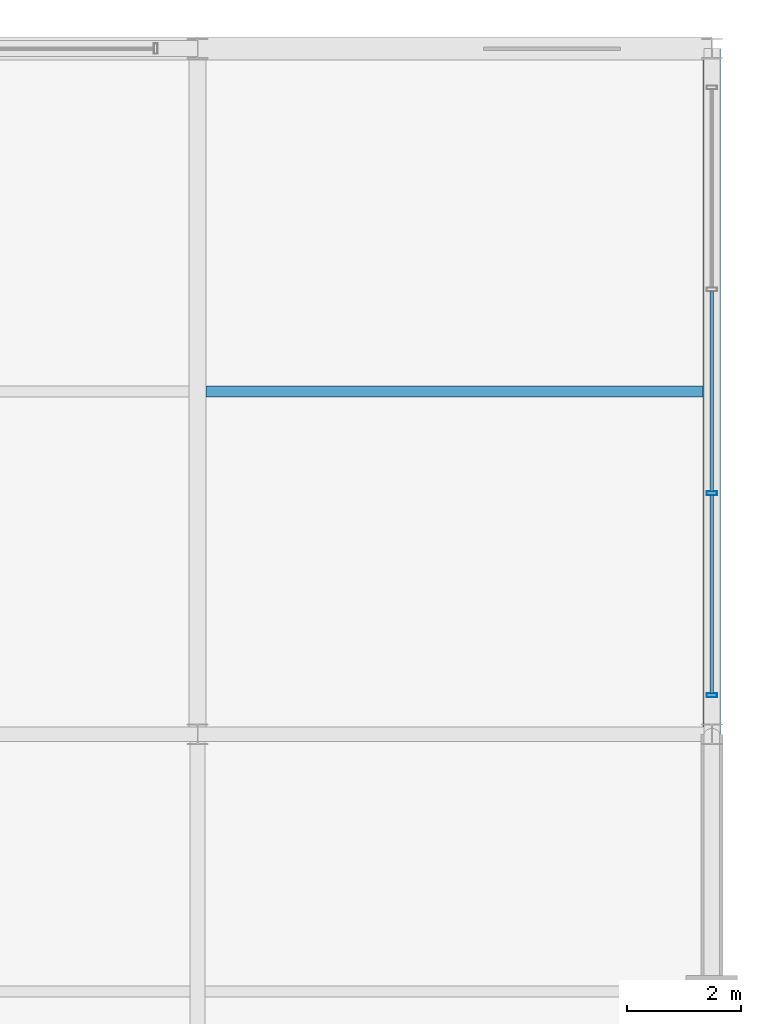
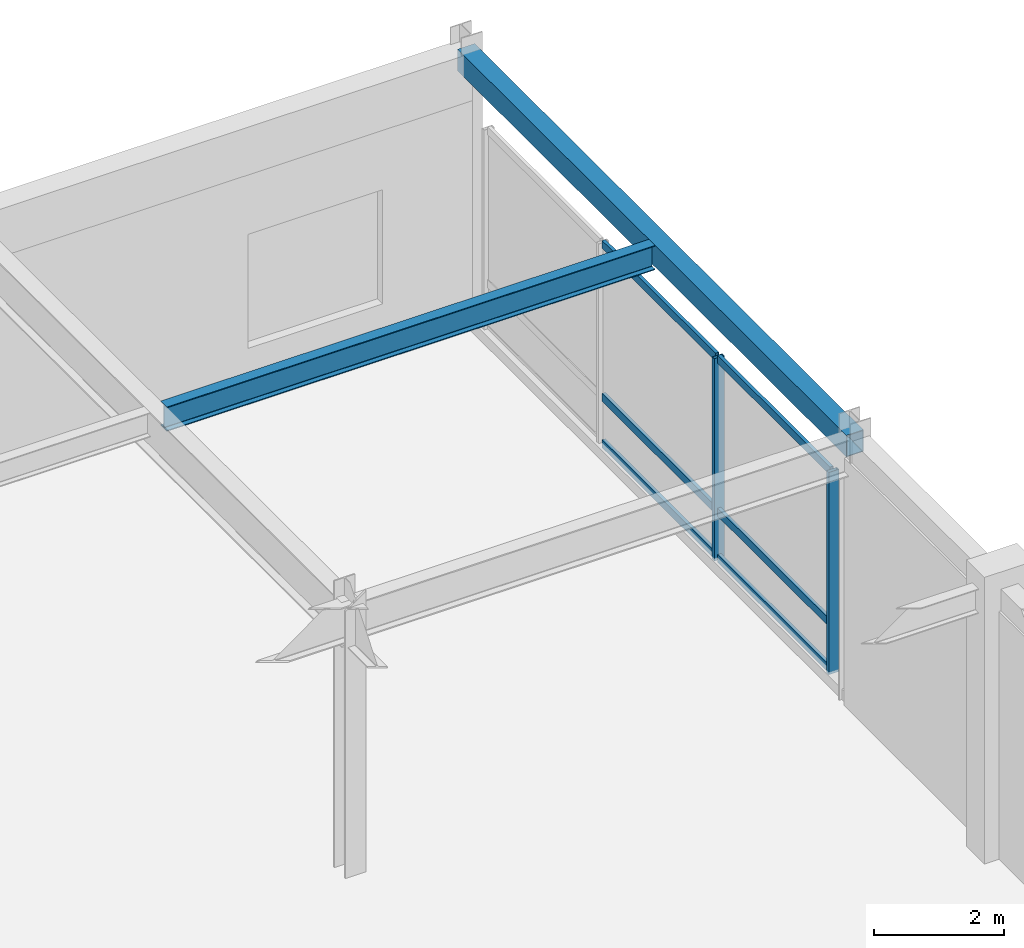
# One storey, part 72 of 100: 8 members, 2 beams, 1 element without a shape of its own.
"""IFC4 building model written with IfcOpenShell, lengths in metres."""

from ifc_helpers import new_model, si_unit, direction, frame, origin, origin_2d, place, context, subcontext, project, spatial, hollow_rectangle, i_section, extrude, material, material_profile, profile_set, type_object, element, aggregate, save


model = new_model("IFC4")

# Units and contexts
model_context = context("Model", 3, precision=1e-05, world=origin(), true_north=direction((0.0, 1.0)))
body_context = subcontext(model_context, "Body", "Model", "MODEL_VIEW")
ifc_project = project(units=[si_unit("LENGTHUNIT", "METRE"), si_unit("AREAUNIT", "SQUARE_METRE"), si_unit("VOLUMEUNIT", "CUBIC_METRE"), si_unit("PLANEANGLEUNIT", "RADIAN"), si_unit("MASSUNIT", "GRAM", prefix="KILO")], contexts=[model_context])

# Site, building, storey
site_placement = place(None, origin())
site = spatial("IfcSite", under=ifc_project, at=site_placement, CompositionType="ELEMENT")
building_placement = place(site_placement, origin())
building = spatial("IfcBuilding", under=site, at=building_placement, Name="Kaldorvane Square Convention Centre", CompositionType="ELEMENT")
storey_placement = place(building_placement, frame((0.0, 0.0, 18.0)))
storey = spatial("IfcBuildingStorey", under=building, at=storey_placement, Name="L03", CompositionType="ELEMENT", Elevation=18.0)

# Beams
ifc_material_1 = material(Name="Steel ASTM A992 Gr. 50", Category="steel")
ifc_material_profile_1 = material_profile(ifc_material_1, i_section(OverallWidth=0.1912994384765625, OverallDepth=0.4600067138671875, WebThickness=0.0099029541015625, FlangeThickness=0.0160064697265625, FilletRadius=0.01019287109375, at=origin_2d()), Name="W18X55")
ifc_profile_set_1 = profile_set([ifc_material_profile_1], Name="Steel ASTM A992 Gr. 50")
beam_type_1 = type_object("IfcBeamType", Name="BM-JS-W18X55", PredefinedType="JOIST", material=ifc_profile_set_1)
beam_1_placement = place(storey_placement, frame((165.14649963378906, 111.0, 4.8459930419921875), z_axis=(1.0, 0.0, 0.0), x_axis=(0.0, 1.0, 0.0)))
element("IfcBeam", 1, at=beam_1_placement, inside=storey, type_object=beam_type_1, Name="Secondary Floor Joist (L03)", PredefinedType="JOIST", context=body_context, shape_type="SweptSolid", body=[
    extrude(i_section(OverallWidth=0.1912994384765625, OverallDepth=0.4600067138671875, WebThickness=0.0099029541015625, FlangeThickness=0.0160064697265625, FilletRadius=0.01019287109375, at=origin_2d()), origin(), (0.0, 0.0, 1.0), 8.701095581054688),
])
ifc_material_2 = material(Name="Steel ASTM A500 Gr. C", Category="steel")
ifc_material_profile_2 = material_profile(ifc_material_2, hollow_rectangle(XDim=0.3047943115234375, YDim=0.406402587890625, WallThickness=0.0117950439453125, at=origin_2d()), Name="HSS16X12X1/2")
ifc_profile_set_2 = profile_set([ifc_material_profile_2], Name="Steel ASTM A500 Gr. C")
beam_type_2 = type_object("IfcBeamType", Name="BM-SP-HSS16", PredefinedType="SPANDREL", material=ifc_profile_set_2)
beam_2_placement = place(storey_placement, frame((174.0, 105.0, 4.872802734375), z_axis=(0.0, 1.0, 0.0), x_axis=(-1.0, 0.0, 0.0)))
element("IfcBeam", 2, at=beam_2_placement, inside=storey, type_object=beam_type_2, Name="End Spandrel (L03)", PredefinedType="SPANDREL", context=body_context, shape_type="SweptSolid", body=[
    extrude(hollow_rectangle(XDim=0.3047943115234375, YDim=0.406402587890625, WallThickness=0.0117950439453125, at=origin_2d()), origin(), (0.0, 0.0, 1.0), 12.0),
])

# Curtain wall, members
ifc_material_3 = material(Name="Anodized Aluminum and Low-E Insulated Glazing", Category="aluminium")
curtain_wall_type = type_object("IfcCurtainWallType", Name="CW-UNI-P54-09", PredefinedType="USERDEFINED", material=ifc_material_3)
curtain_wall_placement = place(storey_placement, origin())
curtain_wall = element("IfcCurtainWall", 3, at=curtain_wall_placement, inside=storey, type_object=curtain_wall_type, Name="Curtain Wall CW-04 (L03)", ObjectType="UNITISED GLAZING", PredefinedType="USERDEFINED")
ifc_material_profile_3 = material_profile(ifc_material_3, hollow_rectangle(XDim=0.06500244140625, YDim=0.17999267578125, WallThickness=0.0034942626953125, at=origin_2d()), Name="CWM-180X65")
ifc_profile_set_3 = profile_set([ifc_material_profile_3], Name="Anodized Aluminum and Low-E Insulated Glazing")
member_type_1 = type_object("IfcMemberType", Name="CW-MUL-180", PredefinedType="MULLION", material=ifc_profile_set_3)
member_1_placement = place(storey_placement, frame((174.0, 105.6824951171875, 0.149993896484375), z_axis=(0.0, 0.0, 1.0), x_axis=(0.0, 1.0, 0.0)))
member_1 = element("IfcMember", 4, at=member_1_placement, type_object=member_type_1, Name="CW-04 mullion 1", PredefinedType="MULLION", context=body_context, shape_type="SweptSolid", body=[
    extrude(hollow_rectangle(XDim=0.06500244140625, YDim=0.17999267578125, WallThickness=0.0034942626953125, at=origin_2d()), origin(), (0.0, 0.0, 1.0), 3.8100128173828125),
])
member_2_placement = place(storey_placement, frame((174.0, 109.21665954589844, 0.149993896484375), z_axis=(0.0, 0.0, 1.0), x_axis=(0.0, 1.0, 0.0)))
member_2 = element("IfcMember", 5, at=member_2_placement, type_object=member_type_1, Name="CW-04 mullion 2", PredefinedType="MULLION", context=body_context, shape_type="SweptSolid", body=[
    extrude(hollow_rectangle(XDim=0.06500244140625, YDim=0.17999267578125, WallThickness=0.0034942626953125, at=origin_2d()), origin(), (0.0, 0.0, 1.0), 3.8100128173828125),
])
ifc_material_profile_4 = material_profile(ifc_material_3, hollow_rectangle(XDim=0.05999755859375, YDim=0.149993896484375, WallThickness=0.003204345703125, at=origin_2d()), Name="CWT-150X60")
ifc_profile_set_4 = profile_set([ifc_material_profile_4], Name="Anodized Aluminum and Low-E Insulated Glazing")
member_type_2 = type_object("IfcMemberType", Name="CW-TRN-150", PredefinedType="USERDEFINED", material=ifc_profile_set_4)
member_3_placement = place(storey_placement, frame((174.0, 105.71499633789062, 0.17999267578125), z_axis=(0.0, 1.0, 0.0), x_axis=(-1.0, 0.0, 0.0)))
member_3 = element("IfcMember", 6, at=member_3_placement, type_object=member_type_2, Name="CW-04 transom 1.1", ObjectType="TRANSOM", PredefinedType="USERDEFINED", context=body_context, shape_type="SweptSolid", body=[
    extrude(hollow_rectangle(XDim=0.05999755859375, YDim=0.149993896484375, WallThickness=0.003204345703125, at=origin_2d()), origin(), (0.0, 0.0, 1.0), 3.46917724609375),
])
member_4_placement = place(storey_placement, frame((174.0, 105.71499633789062, 1.0500030517578125), z_axis=(0.0, 1.0, 0.0), x_axis=(-1.0, 0.0, 0.0)))
member_4 = element("IfcMember", 7, at=member_4_placement, type_object=member_type_2, Name="CW-04 transom 1.2", ObjectType="TRANSOM", PredefinedType="USERDEFINED", context=body_context, shape_type="SweptSolid", body=[
    extrude(hollow_rectangle(XDim=0.05999755859375, YDim=0.149993896484375, WallThickness=0.003204345703125, at=origin_2d()), origin(), (0.0, 0.0, 1.0), 3.46917724609375),
])
member_5_placement = place(storey_placement, frame((174.0, 105.71499633789062, 3.92999267578125), z_axis=(0.0, 1.0, 0.0), x_axis=(-1.0, 0.0, 0.0)))
member_5 = element("IfcMember", 8, at=member_5_placement, type_object=member_type_2, Name="CW-04 transom 1.3", ObjectType="TRANSOM", PredefinedType="USERDEFINED", context=body_context, shape_type="SweptSolid", body=[
    extrude(hollow_rectangle(XDim=0.05999755859375, YDim=0.149993896484375, WallThickness=0.003204345703125, at=origin_2d()), origin(), (0.0, 0.0, 1.0), 3.46917724609375),
])
member_6_placement = place(storey_placement, frame((174.0, 109.24916076660156, 0.17999267578125), z_axis=(0.0, 1.0, 0.0), x_axis=(-1.0, 0.0, 0.0)))
member_6 = element("IfcMember", 9, at=member_6_placement, type_object=member_type_2, Name="CW-04 transom 2.1", ObjectType="TRANSOM", PredefinedType="USERDEFINED", context=body_context, shape_type="SweptSolid", body=[
    extrude(hollow_rectangle(XDim=0.05999755859375, YDim=0.149993896484375, WallThickness=0.003204345703125, at=origin_2d()), origin(), (0.0, 0.0, 1.0), 3.501678466796875),
])
member_7_placement = place(storey_placement, frame((174.0, 109.24916076660156, 1.0500030517578125), z_axis=(0.0, 1.0, 0.0), x_axis=(-1.0, 0.0, 0.0)))
member_7 = element("IfcMember", 10, at=member_7_placement, type_object=member_type_2, Name="CW-04 transom 2.2", ObjectType="TRANSOM", PredefinedType="USERDEFINED", context=body_context, shape_type="SweptSolid", body=[
    extrude(hollow_rectangle(XDim=0.05999755859375, YDim=0.149993896484375, WallThickness=0.003204345703125, at=origin_2d()), origin(), (0.0, 0.0, 1.0), 3.501678466796875),
])
member_8_placement = place(storey_placement, frame((174.0, 109.24916076660156, 3.92999267578125), z_axis=(0.0, 1.0, 0.0), x_axis=(-1.0, 0.0, 0.0)))
member_8 = element("IfcMember", 11, at=member_8_placement, type_object=member_type_2, Name="CW-04 transom 2.3", ObjectType="TRANSOM", PredefinedType="USERDEFINED", context=body_context, shape_type="SweptSolid", body=[
    extrude(hollow_rectangle(XDim=0.05999755859375, YDim=0.149993896484375, WallThickness=0.003204345703125, at=origin_2d()), origin(), (0.0, 0.0, 1.0), 3.501678466796875),
])
aggregate(curtain_wall, [member_1, member_2, member_3, member_4, member_5, member_6, member_7, member_8])

save(model, "model.ifc")
